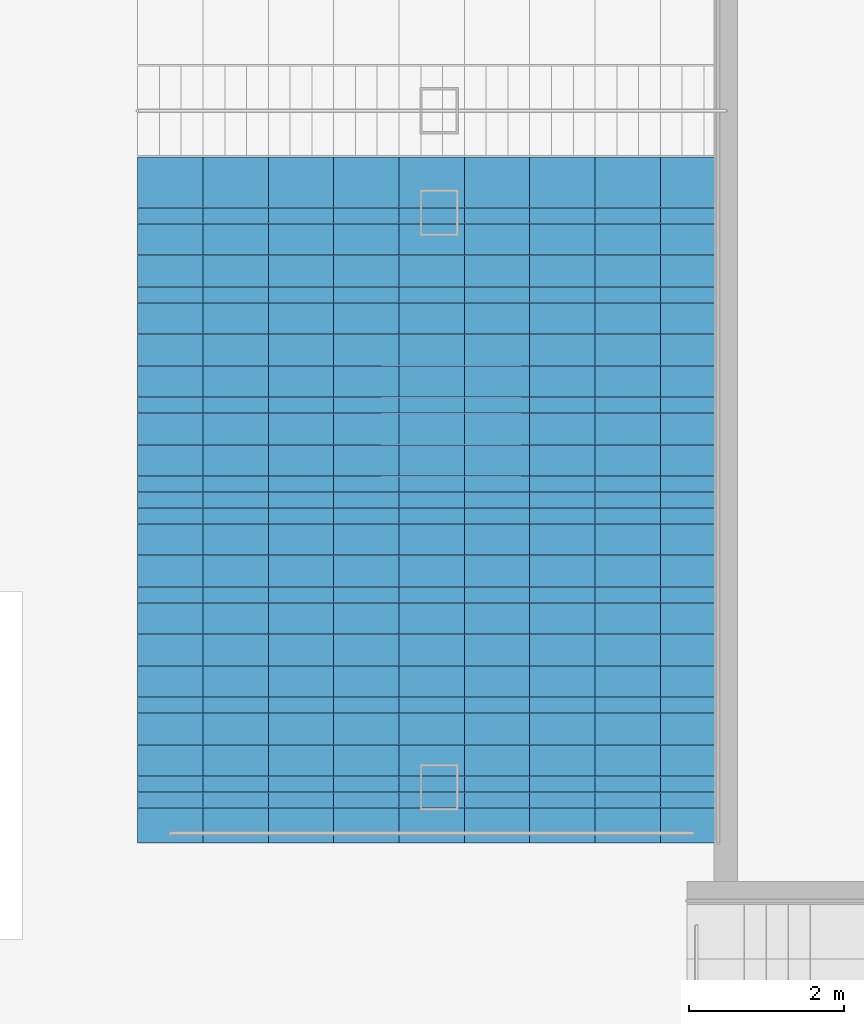
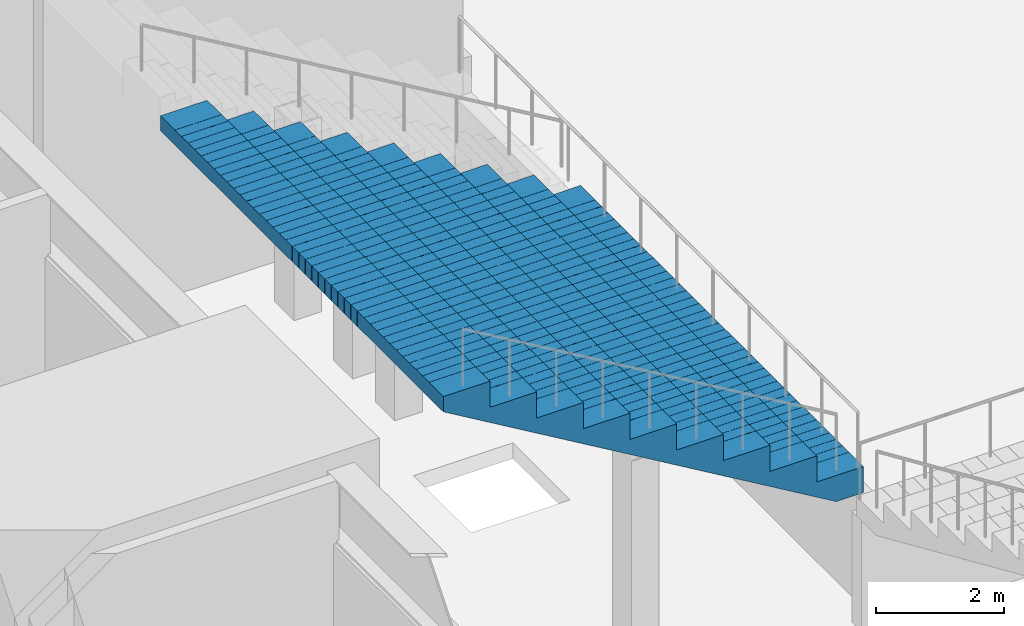
# One storey, part 13 of 62: 1 slab.
"""IFC4 building model written with IfcOpenShell, lengths in metres."""

from ifc_helpers import new_model, si_unit, direction, frame, origin, place, context, subcontext, project, spatial, polyline, outline, extrude, material, layer, layer_set, type_object, element, save


model = new_model("IFC4")

# Units and contexts
model_context = context("Model", 3, precision=1e-05, world=origin(), true_north=direction((0.0, 1.0)))
body_context = subcontext(model_context, "Body", "Model", "MODEL_VIEW")
ifc_project = project(units=[si_unit("LENGTHUNIT", "METRE"), si_unit("AREAUNIT", "SQUARE_METRE"), si_unit("VOLUMEUNIT", "CUBIC_METRE"), si_unit("PLANEANGLEUNIT", "RADIAN"), si_unit("MASSUNIT", "GRAM", prefix="KILO")], contexts=[model_context])

# Site, building, storey
site_placement = place(None, origin())
site = spatial("IfcSite", under=ifc_project, at=site_placement, CompositionType="ELEMENT")
building_placement = place(site_placement, origin())
building = spatial("IfcBuilding", under=site, at=building_placement, Name="Corbelhall Arena Tower", CompositionType="ELEMENT")
storey_placement = place(building_placement, frame((0.0, 0.0, 12.0)))
storey = spatial("IfcBuildingStorey", under=building, at=storey_placement, Name="L01", CompositionType="ELEMENT", Elevation=12.0)

# Slab
ifc_material = material(Name="Precast concrete C40/50", Category="concrete")
ifc_layer = layer(ifc_material, 0.25)
ifc_layer_set = layer_set([ifc_layer], Name="AR-TIER-RAKED")
slab_type = type_object("IfcSlabType", Name="AR-TIER-RAKED", PredefinedType="FLOOR", material=ifc_layer_set)
slab_placement = place(storey_placement, frame((-32.0, -10.066650390625, 2.0), z_axis=(0.0, 0.0, 1.0), x_axis=(-1.0, 0.0, 0.0)))
element("IfcSlab", 1, at=slab_placement, inside=storey, type_object=slab_type, Name="Tier section LWC", PredefinedType="FLOOR", context=body_context, shape_type="SweptSolid", body=[
    extrude(outline(polyline([(0.0, 0.0), (0.0, 0.5), (0.844970703125, 0.5), (0.844970703125, 1.0), (1.68994140625, 1.0), (1.68994140625, 1.5), (2.534912109375, 1.5), (2.534912109375, 2.0), (3.3798828125, 2.0), (3.3798828125, 2.5), (4.22509765625, 2.5), (4.22509765625, 3.0), (5.070068359375, 3.0), (5.070068359375, 3.5), (5.9150390625, 3.5), (5.9150390625, 4.0), (6.760009765625, 4.0), (6.760009765625, 4.5), (7.60498046875, 4.5), (7.60498046875, 5.0), (7.60498046875, 4.20947265625), (0.490966796875, 0.0), (0.0, 0.0)])), frame((0.0, 4.433349609375, 0.0), z_axis=(0.0, -1.0, 0.0), x_axis=(1.0, 0.0, 0.0)), (0.0, 0.0, 1.0), 0.449951171875),
    extrude(outline(polyline([(0.0, 0.0), (0.0, 0.5), (0.844970703125, 0.5), (0.844970703125, 1.0), (1.68994140625, 1.0), (1.68994140625, 1.5), (2.534912109375, 1.5), (2.534912109375, 2.0), (3.3798828125, 2.0), (3.3798828125, 2.5), (4.22509765625, 2.5), (4.22509765625, 3.0), (5.070068359375, 3.0), (5.070068359375, 3.5), (5.9150390625, 3.5), (5.9150390625, 4.0), (6.760009765625, 4.0), (6.760009765625, 4.5), (7.60498046875, 4.5), (7.60498046875, 5.0), (7.60498046875, 4.20947265625), (0.490966796875, 0.0), (0.0, 0.0)])), frame((0.0, 3.979248046875, 0.0), z_axis=(0.0, -1.0, 0.0), x_axis=(1.0, 0.0, 0.0)), (0.0, 0.0, 1.0), 0.2001953125),
    extrude(outline(polyline([(0.0, 0.0), (0.0, 0.5), (0.844970703125, 0.5), (0.844970703125, 1.0), (1.68994140625, 1.0), (1.68994140625, 1.5), (2.534912109375, 1.5), (2.534912109375, 2.0), (3.3798828125, 2.0), (3.3798828125, 2.5), (4.22509765625, 2.5), (4.22509765625, 3.0), (5.070068359375, 3.0), (5.070068359375, 3.5), (5.9150390625, 3.5), (5.9150390625, 4.0), (6.760009765625, 4.0), (6.760009765625, 4.5), (7.60498046875, 4.5), (7.60498046875, 5.0), (7.60498046875, 4.20947265625), (0.490966796875, 0.0), (0.0, 0.0)])), frame((0.0, 3.775146484375, 0.0), z_axis=(0.0, -1.0, 0.0), x_axis=(1.0, 0.0, 0.0)), (0.0, 0.0, 1.0), 0.2001953125),
    extrude(outline(polyline([(0.0, 0.0), (0.0, 0.5), (0.844970703125, 0.5), (0.844970703125, 1.0), (1.68994140625, 1.0), (1.68994140625, 1.5), (2.534912109375, 1.5), (2.534912109375, 2.0), (3.3798828125, 2.0), (3.3798828125, 2.5), (4.22509765625, 2.5), (4.22509765625, 3.0), (5.070068359375, 3.0), (5.070068359375, 3.5), (5.9150390625, 3.5), (5.9150390625, 4.0), (6.760009765625, 4.0), (6.760009765625, 4.5), (7.60498046875, 4.5), (7.60498046875, 5.0), (7.60498046875, 4.20947265625), (0.490966796875, 0.0), (0.0, 0.0)])), frame((0.0, 3.571044921875, 0.0), z_axis=(0.0, -1.0, 0.0), x_axis=(1.0, 0.0, 0.0)), (0.0, 0.0, 1.0), 0.2001953125),
    extrude(outline(polyline([(0.0, 0.0), (0.0, 0.5), (0.844970703125, 0.5), (0.844970703125, 1.0), (1.68994140625, 1.0), (1.68994140625, 1.5), (2.534912109375, 1.5), (2.534912109375, 2.0), (3.3798828125, 2.0), (3.3798828125, 2.5), (4.22509765625, 2.5), (4.22509765625, 3.0), (5.070068359375, 3.0), (5.070068359375, 3.5), (5.9150390625, 3.5), (5.9150390625, 4.0), (6.760009765625, 4.0), (6.760009765625, 4.5), (7.60498046875, 4.5), (7.60498046875, 5.0), (7.60498046875, 4.20947265625), (0.490966796875, 0.0), (0.0, 0.0)])), frame((0.0, 3.366943359375, 0.0), z_axis=(0.0, -1.0, 0.0), x_axis=(1.0, 0.0, 0.0)), (0.0, 0.0, 1.0), 0.2001953125),
    extrude(outline(polyline([(0.0, 0.0), (0.0, 0.5), (0.844970703125, 0.5), (0.844970703125, 1.0), (1.68994140625, 1.0), (1.68994140625, 1.5), (2.534912109375, 1.5), (2.534912109375, 2.0), (3.3798828125, 2.0), (3.3798828125, 2.5), (4.22509765625, 2.5), (4.22509765625, 3.0), (5.070068359375, 3.0), (5.070068359375, 3.5), (5.9150390625, 3.5), (5.9150390625, 4.0), (6.760009765625, 4.0), (6.760009765625, 4.5), (7.60498046875, 4.5), (7.60498046875, 5.0), (7.60498046875, 4.20947265625), (0.490966796875, 0.0), (0.0, 0.0)])), frame((0.0, 3.16259765625, 0.0), z_axis=(0.0, -1.0, 0.0), x_axis=(1.0, 0.0, 0.0)), (0.0, 0.0, 1.0), 0.2001953125),
    extrude(outline(polyline([(0.0, 0.0), (0.0, 0.5), (0.844970703125, 0.5), (0.844970703125, 1.0), (1.68994140625, 1.0), (1.68994140625, 1.5), (2.534912109375, 1.5), (2.534912109375, 2.0), (3.3798828125, 2.0), (3.3798828125, 2.5), (4.22509765625, 2.5), (4.22509765625, 3.0), (5.070068359375, 3.0), (5.070068359375, 3.5), (5.9150390625, 3.5), (5.9150390625, 4.0), (6.760009765625, 4.0), (6.760009765625, 4.5), (7.60498046875, 4.5), (7.60498046875, 5.0), (7.60498046875, 4.20947265625), (0.490966796875, 0.0), (0.0, 0.0)])), frame((0.0, 2.95849609375, 0.0), z_axis=(0.0, -1.0, 0.0), x_axis=(1.0, 0.0, 0.0)), (0.0, 0.0, 1.0), 0.2001953125),
    extrude(outline(polyline([(0.0, 0.0), (0.0, 0.5), (0.844970703125, 0.5), (0.844970703125, 1.0), (1.68994140625, 1.0), (1.68994140625, 1.5), (2.534912109375, 1.5), (2.534912109375, 2.0), (3.3798828125, 2.0), (3.3798828125, 2.5), (4.22509765625, 2.5), (4.22509765625, 3.0), (5.070068359375, 3.0), (5.070068359375, 3.5), (5.9150390625, 3.5), (5.9150390625, 4.0), (6.760009765625, 4.0), (6.760009765625, 4.5), (7.60498046875, 4.5), (7.60498046875, 5.0), (7.60498046875, 4.20947265625), (0.490966796875, 0.0), (0.0, 0.0)])), frame((0.0, 2.75439453125, 0.0), z_axis=(0.0, -1.0, 0.0), x_axis=(1.0, 0.0, 0.0)), (0.0, 0.0, 1.0), 0.2001953125),
    extrude(outline(polyline([(0.0, 0.0), (0.0, 0.5), (0.844970703125, 0.5), (0.844970703125, 1.0), (1.68994140625, 1.0), (1.68994140625, 1.5), (2.534912109375, 1.5), (2.534912109375, 2.0), (3.3798828125, 2.0), (3.3798828125, 2.5), (4.22509765625, 2.5), (4.22509765625, 3.0), (5.070068359375, 3.0), (5.070068359375, 3.5), (5.9150390625, 3.5), (5.9150390625, 4.0), (6.760009765625, 4.0), (6.760009765625, 4.5), (7.60498046875, 4.5), (7.60498046875, 5.0), (7.60498046875, 4.20947265625), (0.490966796875, 0.0), (0.0, 0.0)])), frame((0.0, 2.550048828125, 0.0), z_axis=(0.0, -1.0, 0.0), x_axis=(1.0, 0.0, 0.0)), (0.0, 0.0, 1.0), 0.2001953125),
    extrude(outline(polyline([(0.0, 0.0), (0.0, 0.5), (0.844970703125, 0.5), (0.844970703125, 1.0), (1.68994140625, 1.0), (1.68994140625, 1.5), (2.534912109375, 1.5), (2.534912109375, 2.0), (3.3798828125, 2.0), (3.3798828125, 2.5), (4.22509765625, 2.5), (4.22509765625, 3.0), (5.070068359375, 3.0), (5.070068359375, 3.5), (5.9150390625, 3.5), (5.9150390625, 4.0), (6.760009765625, 4.0), (6.760009765625, 4.5), (7.60498046875, 4.5), (7.60498046875, 5.0), (7.60498046875, 4.20947265625), (0.490966796875, 0.0), (0.0, 0.0)])), frame((0.0, 2.345947265625, 0.0), z_axis=(0.0, -1.0, 0.0), x_axis=(1.0, 0.0, 0.0)), (0.0, 0.0, 1.0), 0.2001953125),
    extrude(outline(polyline([(0.0, 0.0), (0.0, 0.5), (0.844970703125, 0.5), (0.844970703125, 1.0), (1.68994140625, 1.0), (1.68994140625, 1.5), (2.534912109375, 1.5), (2.534912109375, 2.0), (3.3798828125, 2.0), (3.3798828125, 2.5), (4.22509765625, 2.5), (4.22509765625, 3.0), (5.070068359375, 3.0), (5.070068359375, 3.5), (5.9150390625, 3.5), (5.9150390625, 4.0), (6.760009765625, 4.0), (6.760009765625, 4.5), (7.60498046875, 4.5), (7.60498046875, 5.0), (7.60498046875, 4.20947265625), (0.490966796875, 0.0), (0.0, 0.0)])), frame((0.0, 2.141845703125, 0.0), z_axis=(0.0, -1.0, 0.0), x_axis=(1.0, 0.0, 0.0)), (0.0, 0.0, 1.0), 0.2001953125),
    extrude(outline(polyline([(0.0, 0.0), (0.0, 0.5), (0.844970703125, 0.5), (0.844970703125, 1.0), (1.68994140625, 1.0), (1.68994140625, 1.5), (2.534912109375, 1.5), (2.534912109375, 2.0), (3.3798828125, 2.0), (3.3798828125, 2.5), (4.22509765625, 2.5), (4.22509765625, 3.0), (5.070068359375, 3.0), (5.070068359375, 3.5), (5.9150390625, 3.5), (5.9150390625, 4.0), (6.760009765625, 4.0), (6.760009765625, 4.5), (7.60498046875, 4.5), (7.60498046875, 5.0), (7.60498046875, 4.20947265625), (0.490966796875, 0.0), (0.0, 0.0)])), frame((0.0, 1.937744140625, 0.0), z_axis=(0.0, -1.0, 0.0), x_axis=(1.0, 0.0, 0.0)), (0.0, 0.0, 1.0), 0.2001953125),
    extrude(outline(polyline([(0.0, 0.0), (0.0, 0.5), (0.844970703125, 0.5), (0.844970703125, 1.0), (1.68994140625, 1.0), (1.68994140625, 1.5), (2.534912109375, 1.5), (2.534912109375, 2.0), (3.3798828125, 2.0), (3.3798828125, 2.5), (4.22509765625, 2.5), (4.22509765625, 3.0), (5.070068359375, 3.0), (5.070068359375, 3.5), (5.9150390625, 3.5), (5.9150390625, 4.0), (6.760009765625, 4.0), (6.760009765625, 4.5), (7.60498046875, 4.5), (7.60498046875, 5.0), (7.60498046875, 4.20947265625), (0.490966796875, 0.0), (0.0, 0.0)])), frame((0.0, 1.7333984375, 0.0), z_axis=(0.0, -1.0, 0.0), x_axis=(1.0, 0.0, 0.0)), (0.0, 0.0, 1.0), 0.2001953125),
    extrude(outline(polyline([(0.0, 0.0), (0.0, 0.5), (0.844970703125, 0.5), (0.844970703125, 1.0), (1.68994140625, 1.0), (1.68994140625, 1.5), (2.534912109375, 1.5), (2.534912109375, 2.0), (3.3798828125, 2.0), (3.3798828125, 2.5), (4.22509765625, 2.5), (4.22509765625, 3.0), (5.070068359375, 3.0), (5.070068359375, 3.5), (5.9150390625, 3.5), (5.9150390625, 4.0), (6.760009765625, 4.0), (6.760009765625, 4.5), (7.60498046875, 4.5), (7.60498046875, 5.0), (7.60498046875, 4.20947265625), (0.490966796875, 0.0), (0.0, 0.0)])), frame((0.0, 1.529296875, 0.0), z_axis=(0.0, -1.0, 0.0), x_axis=(1.0, 0.0, 0.0)), (0.0, 0.0, 1.0), 0.2001953125),
    extrude(outline(polyline([(0.0, 0.0), (0.0, 0.5), (0.844970703125, 0.5), (0.844970703125, 1.0), (1.68994140625, 1.0), (1.68994140625, 1.5), (2.534912109375, 1.5), (2.534912109375, 2.0), (3.3798828125, 2.0), (3.3798828125, 2.5), (4.22509765625, 2.5), (4.22509765625, 3.0), (5.070068359375, 3.0), (5.070068359375, 3.5), (5.9150390625, 3.5), (5.9150390625, 4.0), (6.760009765625, 4.0), (6.760009765625, 4.5), (7.60498046875, 4.5), (7.60498046875, 5.0), (7.60498046875, 4.20947265625), (0.490966796875, 0.0), (0.0, 0.0)])), frame((0.0, 1.3251953125, 0.0), z_axis=(0.0, -1.0, 0.0), x_axis=(1.0, 0.0, 0.0)), (0.0, 0.0, 1.0), 0.2001953125),
    extrude(outline(polyline([(0.0, 0.0), (0.0, 0.5), (0.844970703125, 0.5), (0.844970703125, 1.0), (1.68994140625, 1.0), (1.68994140625, 1.5), (2.534912109375, 1.5), (2.534912109375, 2.0), (3.3798828125, 2.0), (3.3798828125, 2.5), (4.22509765625, 2.5), (4.22509765625, 3.0), (5.070068359375, 3.0), (5.070068359375, 3.5), (5.9150390625, 3.5), (5.9150390625, 4.0), (6.760009765625, 4.0), (6.760009765625, 4.5), (7.60498046875, 4.5), (7.60498046875, 5.0), (7.60498046875, 4.20947265625), (0.490966796875, 0.0), (0.0, 0.0)])), frame((0.0, 1.120849609375, 0.0), z_axis=(0.0, -1.0, 0.0), x_axis=(1.0, 0.0, 0.0)), (0.0, 0.0, 1.0), 0.2001953125),
    extrude(outline(polyline([(0.0, 0.0), (0.0, 0.5), (0.844970703125, 0.5), (0.844970703125, 1.0), (1.68994140625, 1.0), (1.68994140625, 1.5), (2.534912109375, 1.5), (2.534912109375, 2.0), (3.3798828125, 2.0), (3.3798828125, 2.5), (4.22509765625, 2.5), (4.22509765625, 3.0), (5.070068359375, 3.0), (5.070068359375, 3.5), (5.9150390625, 3.5), (5.9150390625, 4.0), (6.760009765625, 4.0), (6.760009765625, 4.5), (7.60498046875, 4.5), (7.60498046875, 5.0), (7.60498046875, 4.20947265625), (0.490966796875, 0.0), (0.0, 0.0)])), frame((0.0, 0.916748046875, 0.0), z_axis=(0.0, -1.0, 0.0), x_axis=(1.0, 0.0, 0.0)), (0.0, 0.0, 1.0), 0.2001953125),
    extrude(outline(polyline([(0.0, 0.0), (0.0, 0.5), (0.844970703125, 0.5), (0.844970703125, 1.0), (1.68994140625, 1.0), (1.68994140625, 1.5), (2.534912109375, 1.5), (2.534912109375, 2.0), (3.3798828125, 2.0), (3.3798828125, 2.5), (4.22509765625, 2.5), (4.22509765625, 3.0), (5.070068359375, 3.0), (5.070068359375, 3.5), (5.9150390625, 3.5), (5.9150390625, 4.0), (6.760009765625, 4.0), (6.760009765625, 4.5), (7.60498046875, 4.5), (7.60498046875, 5.0), (7.60498046875, 4.20947265625), (0.490966796875, 0.0), (0.0, 0.0)])), frame((0.0, 0.712646484375, 0.0), z_axis=(0.0, -1.0, 0.0), x_axis=(1.0, 0.0, 0.0)), (0.0, 0.0, 1.0), 0.2001953125),
    extrude(outline(polyline([(0.0, 0.0), (0.0, 0.5), (0.844970703125, 0.5), (0.844970703125, 1.0), (1.68994140625, 1.0), (1.68994140625, 1.5), (2.534912109375, 1.5), (2.534912109375, 2.0), (3.3798828125, 2.0), (3.3798828125, 2.5), (4.22509765625, 2.5), (4.22509765625, 3.0), (5.070068359375, 3.0), (5.070068359375, 3.5), (5.9150390625, 3.5), (5.9150390625, 4.0), (6.760009765625, 4.0), (6.760009765625, 4.5), (7.60498046875, 4.5), (7.60498046875, 5.0), (7.60498046875, 4.20947265625), (0.490966796875, 0.0), (0.0, 0.0)])), frame((0.0, 0.508544921875, 0.0), z_axis=(0.0, -1.0, 0.0), x_axis=(1.0, 0.0, 0.0)), (0.0, 0.0, 1.0), 0.2001953125),
    extrude(outline(polyline([(0.0, 0.0), (0.0, 0.5), (0.844970703125, 0.5), (0.844970703125, 1.0), (1.68994140625, 1.0), (1.68994140625, 1.5), (2.534912109375, 1.5), (2.534912109375, 2.0), (3.3798828125, 2.0), (3.3798828125, 2.5), (4.22509765625, 2.5), (4.22509765625, 3.0), (5.070068359375, 3.0), (5.070068359375, 3.5), (5.9150390625, 3.5), (5.9150390625, 4.0), (6.760009765625, 4.0), (6.760009765625, 4.5), (7.60498046875, 4.5), (7.60498046875, 5.0), (7.60498046875, 4.20947265625), (0.490966796875, 0.0), (0.0, 0.0)])), frame((0.0, 0.30419921875, 0.0), z_axis=(0.0, -1.0, 0.0), x_axis=(1.0, 0.0, 0.0)), (0.0, 0.0, 1.0), 0.2001953125),
    extrude(outline(polyline([(0.0, 0.0), (0.0, 0.5), (0.844970703125, 0.5), (0.844970703125, 1.0), (1.68994140625, 1.0), (1.68994140625, 1.5), (2.534912109375, 1.5), (2.534912109375, 2.0), (3.3798828125, 2.0), (3.3798828125, 2.5), (4.22509765625, 2.5), (4.22509765625, 3.0), (5.070068359375, 3.0), (5.070068359375, 3.5), (5.9150390625, 3.5), (5.9150390625, 4.0), (6.760009765625, 4.0), (6.760009765625, 4.5), (7.60498046875, 4.5), (7.60498046875, 5.0), (7.60498046875, 4.20947265625), (0.490966796875, 0.0), (0.0, 0.0)])), frame((0.0, 0.10009765625, 0.0), z_axis=(0.0, -1.0, 0.0), x_axis=(1.0, 0.0, 0.0)), (0.0, 0.0, 1.0), 0.2001953125),
    extrude(outline(polyline([(0.0, 0.0), (0.0, 0.5), (0.844970703125, 0.5), (0.844970703125, 1.0), (1.68994140625, 1.0), (1.68994140625, 1.5), (2.534912109375, 1.5), (2.534912109375, 2.0), (3.3798828125, 2.0), (3.3798828125, 2.5), (4.22509765625, 2.5), (4.22509765625, 3.0), (5.070068359375, 3.0), (5.070068359375, 3.5), (5.9150390625, 3.5), (5.9150390625, 4.0), (6.760009765625, 4.0), (6.760009765625, 4.5), (7.60498046875, 4.5), (7.60498046875, 5.0), (7.60498046875, 4.20947265625), (0.490966796875, 0.0), (0.0, 0.0)])), frame((0.0, -0.10400390625, 0.0), z_axis=(0.0, -1.0, 0.0), x_axis=(1.0, 0.0, 0.0)), (0.0, 0.0, 1.0), 0.2001953125),
    extrude(outline(polyline([(0.0, 0.0), (0.0, 0.5), (0.844970703125, 0.5), (0.844970703125, 1.0), (1.68994140625, 1.0), (1.68994140625, 1.5), (2.534912109375, 1.5), (2.534912109375, 2.0), (3.3798828125, 2.0), (3.3798828125, 2.5), (4.22509765625, 2.5), (4.22509765625, 3.0), (5.070068359375, 3.0), (5.070068359375, 3.5), (5.9150390625, 3.5), (5.9150390625, 4.0), (6.760009765625, 4.0), (6.760009765625, 4.5), (7.60498046875, 4.5), (7.60498046875, 5.0), (7.60498046875, 4.20947265625), (0.490966796875, 0.0), (0.0, 0.0)])), frame((0.0, -0.308349609375, 0.0), z_axis=(0.0, -1.0, 0.0), x_axis=(1.0, 0.0, 0.0)), (0.0, 0.0, 1.0), 0.2001953125),
    extrude(outline(polyline([(0.0, 0.0), (0.0, 0.5), (0.844970703125, 0.5), (0.844970703125, 1.0), (1.68994140625, 1.0), (1.68994140625, 1.5), (2.534912109375, 1.5), (2.534912109375, 2.0), (3.3798828125, 2.0), (3.3798828125, 2.5), (4.22509765625, 2.5), (4.22509765625, 3.0), (5.070068359375, 3.0), (5.070068359375, 3.5), (5.9150390625, 3.5), (5.9150390625, 4.0), (6.760009765625, 4.0), (6.760009765625, 4.5), (7.60498046875, 4.5), (7.60498046875, 5.0), (7.60498046875, 4.20947265625), (0.490966796875, 0.0), (0.0, 0.0)])), frame((0.0, -0.512451171875, 0.0), z_axis=(0.0, -1.0, 0.0), x_axis=(1.0, 0.0, 0.0)), (0.0, 0.0, 1.0), 0.2001953125),
    extrude(outline(polyline([(0.0, 0.0), (0.0, 0.5), (0.844970703125, 0.5), (0.844970703125, 1.0), (1.68994140625, 1.0), (1.68994140625, 1.5), (2.534912109375, 1.5), (2.534912109375, 2.0), (3.3798828125, 2.0), (3.3798828125, 2.5), (4.22509765625, 2.5), (4.22509765625, 3.0), (5.070068359375, 3.0), (5.070068359375, 3.5), (5.9150390625, 3.5), (5.9150390625, 4.0), (6.760009765625, 4.0), (6.760009765625, 4.5), (7.60498046875, 4.5), (7.60498046875, 5.0), (7.60498046875, 4.20947265625), (0.490966796875, 0.0), (0.0, 0.0)])), frame((0.0, -0.716552734375, 0.0), z_axis=(0.0, -1.0, 0.0), x_axis=(1.0, 0.0, 0.0)), (0.0, 0.0, 1.0), 0.2001953125),
    extrude(outline(polyline([(0.0, 0.0), (0.0, 0.5), (0.844970703125, 0.5), (0.844970703125, 1.0), (1.68994140625, 1.0), (1.68994140625, 1.5), (2.534912109375, 1.5), (2.534912109375, 2.0), (3.3798828125, 2.0), (3.3798828125, 2.5), (4.22509765625, 2.5), (4.22509765625, 3.0), (5.070068359375, 3.0), (5.070068359375, 3.5), (5.9150390625, 3.5), (5.9150390625, 4.0), (6.760009765625, 4.0), (6.760009765625, 4.5), (7.60498046875, 4.5), (7.60498046875, 5.0), (7.60498046875, 4.20947265625), (0.490966796875, 0.0), (0.0, 0.0)])), frame((0.0, -0.920654296875, 0.0), z_axis=(0.0, -1.0, 0.0), x_axis=(1.0, 0.0, 0.0)), (0.0, 0.0, 1.0), 0.2001953125),
    extrude(outline(polyline([(0.0, 0.0), (0.0, 0.5), (0.844970703125, 0.5), (0.844970703125, 1.0), (1.68994140625, 1.0), (1.68994140625, 1.5), (2.534912109375, 1.5), (2.534912109375, 2.0), (3.3798828125, 2.0), (3.3798828125, 2.5), (4.22509765625, 2.5), (4.22509765625, 3.0), (5.070068359375, 3.0), (5.070068359375, 3.5), (5.9150390625, 3.5), (5.9150390625, 4.0), (6.760009765625, 4.0), (6.760009765625, 4.5), (7.60498046875, 4.5), (7.60498046875, 5.0), (7.60498046875, 4.20947265625), (0.490966796875, 0.0), (0.0, 0.0)])), frame((0.0, -1.125, 0.0), z_axis=(0.0, -1.0, 0.0), x_axis=(1.0, 0.0, 0.0)), (0.0, 0.0, 1.0), 0.2001953125),
    extrude(outline(polyline([(0.0, 0.0), (0.0, 0.5), (0.844970703125, 0.5), (0.844970703125, 1.0), (1.68994140625, 1.0), (1.68994140625, 1.5), (2.534912109375, 1.5), (2.534912109375, 2.0), (3.3798828125, 2.0), (3.3798828125, 2.5), (4.22509765625, 2.5), (4.22509765625, 3.0), (5.070068359375, 3.0), (5.070068359375, 3.5), (5.9150390625, 3.5), (5.9150390625, 4.0), (6.760009765625, 4.0), (6.760009765625, 4.5), (7.60498046875, 4.5), (7.60498046875, 5.0), (7.60498046875, 4.20947265625), (0.490966796875, 0.0), (0.0, 0.0)])), frame((0.0, -1.3291015625, 0.0), z_axis=(0.0, -1.0, 0.0), x_axis=(1.0, 0.0, 0.0)), (0.0, 0.0, 1.0), 0.2001953125),
    extrude(outline(polyline([(0.0, 0.0), (0.0, 0.5), (0.844970703125, 0.5), (0.844970703125, 1.0), (1.68994140625, 1.0), (1.68994140625, 1.5), (2.534912109375, 1.5), (2.534912109375, 2.0), (3.3798828125, 2.0), (3.3798828125, 2.5), (4.22509765625, 2.5), (4.22509765625, 3.0), (5.070068359375, 3.0), (5.070068359375, 3.5), (5.9150390625, 3.5), (5.9150390625, 4.0), (6.760009765625, 4.0), (6.760009765625, 4.5), (7.60498046875, 4.5), (7.60498046875, 5.0), (7.60498046875, 4.20947265625), (0.490966796875, 0.0), (0.0, 0.0)])), frame((0.0, -1.533203125, 0.0), z_axis=(0.0, -1.0, 0.0), x_axis=(1.0, 0.0, 0.0)), (0.0, 0.0, 1.0), 0.2001953125),
    extrude(outline(polyline([(0.0, 0.0), (0.0, 0.5), (0.844970703125, 0.5), (0.844970703125, 1.0), (1.68994140625, 1.0), (1.68994140625, 1.5), (2.534912109375, 1.5), (2.534912109375, 2.0), (3.3798828125, 2.0), (3.3798828125, 2.5), (4.22509765625, 2.5), (4.22509765625, 3.0), (5.070068359375, 3.0), (5.070068359375, 3.5), (5.9150390625, 3.5), (5.9150390625, 4.0), (6.760009765625, 4.0), (6.760009765625, 4.5), (7.60498046875, 4.5), (7.60498046875, 5.0), (7.60498046875, 4.20947265625), (0.490966796875, 0.0), (0.0, 0.0)])), frame((0.0, -1.737548828125, 0.0), z_axis=(0.0, -1.0, 0.0), x_axis=(1.0, 0.0, 0.0)), (0.0, 0.0, 1.0), 0.2001953125),
    extrude(outline(polyline([(0.0, 0.0), (0.0, 0.5), (0.844970703125, 0.5), (0.844970703125, 1.0), (1.68994140625, 1.0), (1.68994140625, 1.5), (2.534912109375, 1.5), (2.534912109375, 2.0), (3.3798828125, 2.0), (3.3798828125, 2.5), (4.22509765625, 2.5), (4.22509765625, 3.0), (5.070068359375, 3.0), (5.070068359375, 3.5), (5.9150390625, 3.5), (5.9150390625, 4.0), (6.760009765625, 4.0), (6.760009765625, 4.5), (7.60498046875, 4.5), (7.60498046875, 5.0), (7.60498046875, 4.20947265625), (0.490966796875, 0.0), (0.0, 0.0)])), frame((0.0, -1.941650390625, 0.0), z_axis=(0.0, -1.0, 0.0), x_axis=(1.0, 0.0, 0.0)), (0.0, 0.0, 1.0), 0.2001953125),
    extrude(outline(polyline([(0.0, 0.0), (0.0, 0.5), (0.844970703125, 0.5), (0.844970703125, 1.0), (1.68994140625, 1.0), (1.68994140625, 1.5), (2.534912109375, 1.5), (2.534912109375, 2.0), (3.3798828125, 2.0), (3.3798828125, 2.5), (4.22509765625, 2.5), (4.22509765625, 3.0), (5.070068359375, 3.0), (5.070068359375, 3.5), (5.9150390625, 3.5), (5.9150390625, 4.0), (6.760009765625, 4.0), (6.760009765625, 4.5), (7.60498046875, 4.5), (7.60498046875, 5.0), (7.60498046875, 4.20947265625), (0.490966796875, 0.0), (0.0, 0.0)])), frame((0.0, -2.145751953125, 0.0), z_axis=(0.0, -1.0, 0.0), x_axis=(1.0, 0.0, 0.0)), (0.0, 0.0, 1.0), 0.2001953125),
    extrude(outline(polyline([(0.0, 0.0), (0.0, 0.5), (0.844970703125, 0.5), (0.844970703125, 1.0), (1.68994140625, 1.0), (1.68994140625, 1.5), (2.534912109375, 1.5), (2.534912109375, 2.0), (3.3798828125, 2.0), (3.3798828125, 2.5), (4.22509765625, 2.5), (4.22509765625, 3.0), (5.070068359375, 3.0), (5.070068359375, 3.5), (5.9150390625, 3.5), (5.9150390625, 4.0), (6.760009765625, 4.0), (6.760009765625, 4.5), (7.60498046875, 4.5), (7.60498046875, 5.0), (7.60498046875, 4.20947265625), (0.490966796875, 0.0), (0.0, 0.0)])), frame((0.0, -2.349853515625, 0.0), z_axis=(0.0, -1.0, 0.0), x_axis=(1.0, 0.0, 0.0)), (0.0, 0.0, 1.0), 0.2001953125),
    extrude(outline(polyline([(0.0, 0.0), (0.0, 0.5), (0.844970703125, 0.5), (0.844970703125, 1.0), (1.68994140625, 1.0), (1.68994140625, 1.5), (2.534912109375, 1.5), (2.534912109375, 2.0), (3.3798828125, 2.0), (3.3798828125, 2.5), (4.22509765625, 2.5), (4.22509765625, 3.0), (5.070068359375, 3.0), (5.070068359375, 3.5), (5.9150390625, 3.5), (5.9150390625, 4.0), (6.760009765625, 4.0), (6.760009765625, 4.5), (7.60498046875, 4.5), (7.60498046875, 5.0), (7.60498046875, 4.20947265625), (0.490966796875, 0.0), (0.0, 0.0)])), frame((0.0, -2.55419921875, 0.0), z_axis=(0.0, -1.0, 0.0), x_axis=(1.0, 0.0, 0.0)), (0.0, 0.0, 1.0), 0.2001953125),
    extrude(outline(polyline([(0.0, 0.0), (0.0, 0.5), (0.844970703125, 0.5), (0.844970703125, 1.0), (1.68994140625, 1.0), (1.68994140625, 1.5), (2.534912109375, 1.5), (2.534912109375, 2.0), (3.3798828125, 2.0), (3.3798828125, 2.5), (4.22509765625, 2.5), (4.22509765625, 3.0), (5.070068359375, 3.0), (5.070068359375, 3.5), (5.9150390625, 3.5), (5.9150390625, 4.0), (6.760009765625, 4.0), (6.760009765625, 4.5), (7.60498046875, 4.5), (7.60498046875, 5.0), (7.60498046875, 4.20947265625), (0.490966796875, 0.0), (0.0, 0.0)])), frame((0.0, -2.75830078125, 0.0), z_axis=(0.0, -1.0, 0.0), x_axis=(1.0, 0.0, 0.0)), (0.0, 0.0, 1.0), 0.2001953125),
    extrude(outline(polyline([(0.0, 0.0), (0.0, 0.5), (0.844970703125, 0.5), (0.844970703125, 1.0), (1.68994140625, 1.0), (1.68994140625, 1.5), (2.534912109375, 1.5), (2.534912109375, 2.0), (3.3798828125, 2.0), (3.3798828125, 2.5), (4.22509765625, 2.5), (4.22509765625, 3.0), (5.070068359375, 3.0), (5.070068359375, 3.5), (5.9150390625, 3.5), (5.9150390625, 4.0), (6.760009765625, 4.0), (6.760009765625, 4.5), (7.60498046875, 4.5), (7.60498046875, 5.0), (7.60498046875, 4.20947265625), (0.490966796875, 0.0), (0.0, 0.0)])), frame((0.0, -2.96240234375, 0.0), z_axis=(0.0, -1.0, 0.0), x_axis=(1.0, 0.0, 0.0)), (0.0, 0.0, 1.0), 0.2001953125),
    extrude(outline(polyline([(0.0, 0.0), (0.0, 0.5), (0.844970703125, 0.5), (0.844970703125, 1.0), (1.68994140625, 1.0), (1.68994140625, 1.5), (2.534912109375, 1.5), (2.534912109375, 2.0), (3.3798828125, 2.0), (3.3798828125, 2.5), (4.22509765625, 2.5), (4.22509765625, 3.0), (5.070068359375, 3.0), (5.070068359375, 3.5), (5.9150390625, 3.5), (5.9150390625, 4.0), (6.760009765625, 4.0), (6.760009765625, 4.5), (7.60498046875, 4.5), (7.60498046875, 5.0), (7.60498046875, 4.20947265625), (0.490966796875, 0.0), (0.0, 0.0)])), frame((0.0, -3.166748046875, 0.0), z_axis=(0.0, -1.0, 0.0), x_axis=(1.0, 0.0, 0.0)), (0.0, 0.0, 1.0), 0.2001953125),
    extrude(outline(polyline([(0.0, 0.0), (0.0, 0.5), (0.844970703125, 0.5), (0.844970703125, 1.0), (1.68994140625, 1.0), (1.68994140625, 1.5), (2.534912109375, 1.5), (2.534912109375, 2.0), (3.3798828125, 2.0), (3.3798828125, 2.5), (4.22509765625, 2.5), (4.22509765625, 3.0), (5.070068359375, 3.0), (5.070068359375, 3.5), (5.9150390625, 3.5), (5.9150390625, 4.0), (6.760009765625, 4.0), (6.760009765625, 4.5), (7.60498046875, 4.5), (7.60498046875, 5.0), (7.60498046875, 4.20947265625), (0.490966796875, 0.0), (0.0, 0.0)])), frame((0.0, -3.370849609375, 0.0), z_axis=(0.0, -1.0, 0.0), x_axis=(1.0, 0.0, 0.0)), (0.0, 0.0, 1.0), 0.2001953125),
    extrude(outline(polyline([(0.0, 0.0), (0.0, 0.5), (0.844970703125, 0.5), (0.844970703125, 1.0), (1.68994140625, 1.0), (1.68994140625, 1.5), (2.534912109375, 1.5), (2.534912109375, 2.0), (3.3798828125, 2.0), (3.3798828125, 2.5), (4.22509765625, 2.5), (4.22509765625, 3.0), (5.070068359375, 3.0), (5.070068359375, 3.5), (5.9150390625, 3.5), (5.9150390625, 4.0), (6.760009765625, 4.0), (6.760009765625, 4.5), (7.60498046875, 4.5), (7.60498046875, 5.0), (7.60498046875, 4.20947265625), (0.490966796875, 0.0), (0.0, 0.0)])), frame((0.0, -3.574951171875, 0.0), z_axis=(0.0, -1.0, 0.0), x_axis=(1.0, 0.0, 0.0)), (0.0, 0.0, 1.0), 0.2001953125),
    extrude(outline(polyline([(0.0, 0.0), (0.0, 0.5), (0.844970703125, 0.5), (0.844970703125, 1.0), (1.68994140625, 1.0), (1.68994140625, 1.5), (2.534912109375, 1.5), (2.534912109375, 2.0), (3.3798828125, 2.0), (3.3798828125, 2.5), (4.22509765625, 2.5), (4.22509765625, 3.0), (5.070068359375, 3.0), (5.070068359375, 3.5), (5.9150390625, 3.5), (5.9150390625, 4.0), (6.760009765625, 4.0), (6.760009765625, 4.5), (7.60498046875, 4.5), (7.60498046875, 5.0), (7.60498046875, 4.20947265625), (0.490966796875, 0.0), (0.0, 0.0)])), frame((0.0, -3.779296875, 0.0), z_axis=(0.0, -1.0, 0.0), x_axis=(1.0, 0.0, 0.0)), (0.0, 0.0, 1.0), 0.2001953125),
    extrude(outline(polyline([(0.0, 0.0), (0.0, 0.5), (0.844970703125, 0.5), (0.844970703125, 1.0), (1.68994140625, 1.0), (1.68994140625, 1.5), (2.534912109375, 1.5), (2.534912109375, 2.0), (3.3798828125, 2.0), (3.3798828125, 2.5), (4.22509765625, 2.5), (4.22509765625, 3.0), (5.070068359375, 3.0), (5.070068359375, 3.5), (5.9150390625, 3.5), (5.9150390625, 4.0), (6.760009765625, 4.0), (6.760009765625, 4.5), (7.60498046875, 4.5), (7.60498046875, 5.0), (7.60498046875, 4.20947265625), (0.490966796875, 0.0), (0.0, 0.0)])), frame((0.0, -3.9833984375, 0.0), z_axis=(0.0, -1.0, 0.0), x_axis=(1.0, 0.0, 0.0)), (0.0, 0.0, 1.0), 0.449951171875),
])

save(model, "model.ifc")
